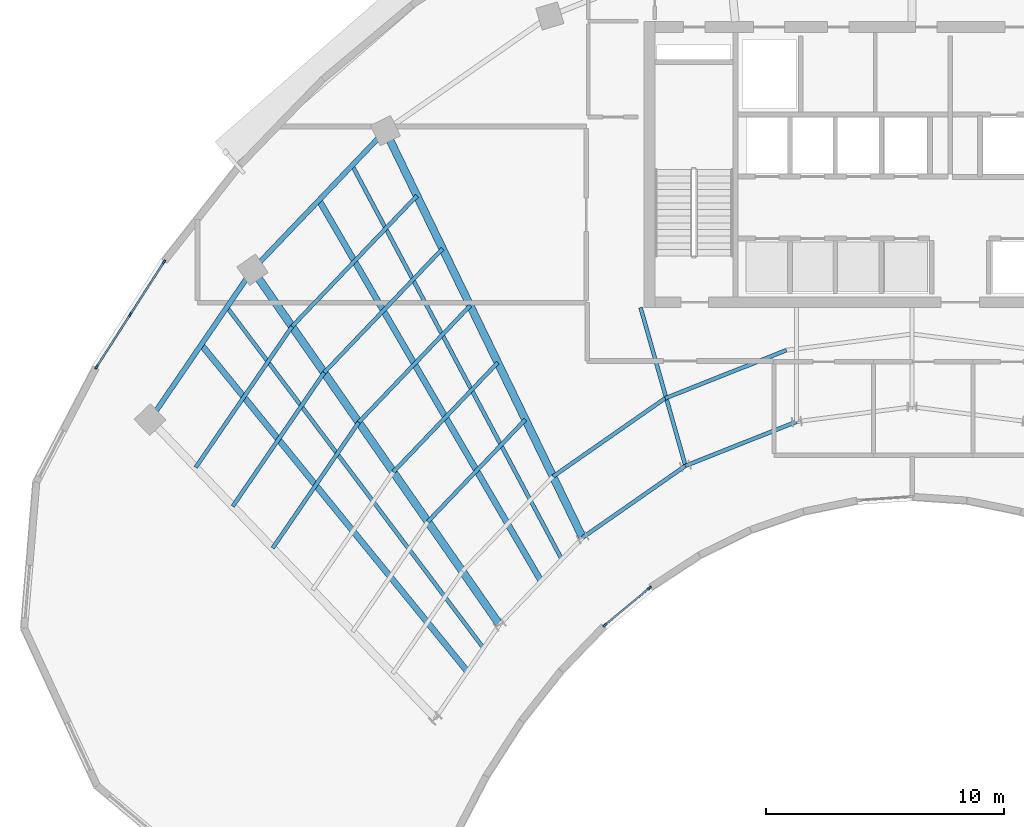
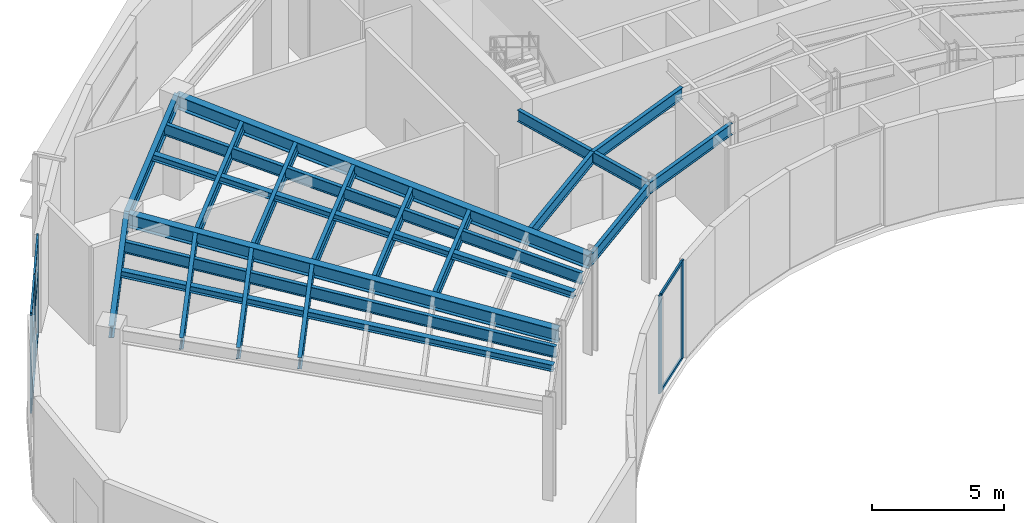
# One storey, part 2 of 15: 21 beams, 13 members, 2 elements without a shape of their own.
"""IFC4 building model written with IfcOpenShell, lengths in metres."""

from ifc_helpers import new_model, si_unit, direction, frame, origin, origin_2d, place, context, subcontext, project, spatial, rectangle, i_section, extrude, source, transform, mapped, material, layer, layer_set, material_profile, profile_set, type_object, type_shapes, element, aggregate, save


model = new_model("IFC4")

# Units and contexts
model_context = context("Model", 3, precision=1e-05, world=origin(), true_north=direction((0.0, 1.0)))
body_context = subcontext(model_context, "Body", "Model", "MODEL_VIEW")
ifc_project = project(units=[si_unit("LENGTHUNIT", "METRE"), si_unit("AREAUNIT", "SQUARE_METRE"), si_unit("VOLUMEUNIT", "CUBIC_METRE"), si_unit("PLANEANGLEUNIT", "RADIAN"), si_unit("MASSUNIT", "GRAM", prefix="KILO")], contexts=[model_context])

# Site, building, storey
site_placement = place(None, origin())
site = spatial("IfcSite", under=ifc_project, at=site_placement, CompositionType="ELEMENT")
building_placement = place(site_placement, origin())
building = spatial("IfcBuilding", under=site, at=building_placement, Name="Breltana Convention Tower", CompositionType="ELEMENT")
storey_placement = place(building_placement, frame((0.0, 0.0, 199.199951171875)))
storey = spatial("IfcBuildingStorey", under=building, at=storey_placement, Name="L48", CompositionType="ELEMENT", Elevation=199.199951171875)

# Beams
ifc_material_1 = material(Name="Steel ASTM A992 Grade 50", Category="steel")
ifc_material_profile_1 = material_profile(ifc_material_1, i_section(OverallWidth=0.25390625, OverallDepth=0.305908203125, WebThickness=0.0087890625, FlangeThickness=0.0146484375, at=origin_2d()), Name="W12X53")
ifc_profile_set_1 = profile_set([ifc_material_profile_1], Name="Steel ASTM A992 Grade 50")
beam_type_1 = type_object("IfcBeamType", Name="BM-JSG-10", PredefinedType="JOIST", material=ifc_profile_set_1)
shared_shape_1 = source(origin(), body_context, "Body", "SweptSolid", [
    extrude(i_section(OverallWidth=0.25390625, OverallDepth=0.305908203125, WebThickness=0.0087890625, FlangeThickness=0.0146484375, at=origin_2d()), origin(), (0.0, 0.0, 1.0), 17.691650390625),
])
type_shapes(beam_type_1, [shared_shape_1])
beam_1_placement = place(storey_placement, frame((29.330810546875, 44.923583984375, 4.386962890625), z_axis=(-0.631476958478, 0.775394642044, 0.0), x_axis=(-0.775394642044, -0.631476958478, 0.0)))
element("IfcBeam", 1, at=beam_1_placement, inside=storey, type_object=beam_type_1, Name="L48 Mid-Bay Radial Trimmer 01", PredefinedType="JOIST", context=body_context, shape_type="MappedRepresentation", body=[
    mapped(shared_shape_1, transform((0.0, 0.0, 0.0), scale=1.0)),
])
ifc_material_profile_2 = material_profile(ifc_material_1, i_section(OverallWidth=0.166015625, OverallDepth=0.534912109375, WebThickness=0.01025390625, FlangeThickness=0.0166015625, at=origin_2d()), Name="W21X57")
ifc_profile_set_2 = profile_set([ifc_material_profile_2], Name="Steel ASTM A992 Grade 50")
beam_type_2 = type_object("IfcBeamType", Name="BM-JSG-05", PredefinedType="JOIST", material=ifc_profile_set_2)
shared_shape_2 = source(origin(), body_context, "Body", "SweptSolid", [
    extrude(i_section(OverallWidth=0.166015625, OverallDepth=0.534912109375, WebThickness=0.01025390625, FlangeThickness=0.0166015625, at=origin_2d()), origin(), (0.0, 0.0, 1.0), 17.9072265625),
])
beam_2_placement = place(storey_placement, frame((30.00390625, 45.907958984375, 4.2724609375), z_axis=(-0.601382105028, 0.798961553363, 0.0), x_axis=(-0.798961553363, -0.601382105028, 0.0)))
element("IfcBeam", 2, at=beam_2_placement, inside=storey, type_object=beam_type_2, Name="L48 Quarter-Bay Radial Trimmer 01", PredefinedType="JOIST", context=body_context, shape_type="MappedRepresentation", body=[
    mapped(shared_shape_2, transform((0.0, 0.0, 0.0), scale=1.0)),
])
shared_shape_3 = source(origin(), body_context, "Body", "SweptSolid", [
    extrude(i_section(OverallWidth=0.25390625, OverallDepth=0.305908203125, WebThickness=0.0087890625, FlangeThickness=0.0146484375, at=origin_2d()), origin(), (0.0, 0.0, 1.0), 18.50830078125),
])
beam_3_placement = place(storey_placement, frame((32.421630859375, 48.71875, 4.386962890625), z_axis=(-0.50368319637, 0.863888440537, 0.0), x_axis=(-0.863888440537, -0.50368319637, 0.0)))
element("IfcBeam", 3, at=beam_3_placement, inside=storey, type_object=beam_type_1, Name="L48 Mid-Bay Radial Trimmer 02", PredefinedType="JOIST", context=body_context, shape_type="MappedRepresentation", body=[
    mapped(shared_shape_3, transform((0.0, 0.0, 0.0), scale=1.0)),
])
shared_shape_4 = source(origin(), body_context, "Body", "SweptSolid", [
    extrude(i_section(OverallWidth=0.166015625, OverallDepth=0.534912109375, WebThickness=0.01025390625, FlangeThickness=0.0166015625, at=origin_2d()), origin(), (0.0, 0.0, 1.0), 18.731689453125),
])
beam_4_placement = place(storey_placement, frame((33.2939453125, 49.6318359375, 4.2724609375), z_axis=(-0.469820250451, 0.882762104004, 0.0), x_axis=(-0.882762104004, -0.469820250451, 0.0)))
element("IfcBeam", 4, at=beam_4_placement, inside=storey, type_object=beam_type_2, Name="L48 Quarter-Bay Radial Trimmer 02", PredefinedType="JOIST", context=body_context, shape_type="MappedRepresentation", body=[
    mapped(shared_shape_4, transform((0.0, 0.0, 0.0), scale=1.0)),
])
ifc_material_profile_3 = material_profile(ifc_material_1, i_section(OverallWidth=0.166015625, OverallDepth=0.534912109375, WebThickness=0.01025390625, FlangeThickness=0.0166015625, at=origin_2d()), Name="W21X57")
ifc_profile_set_3 = profile_set([ifc_material_profile_3], Name="Steel ASTM A992 Grade 50")
beam_type_3 = type_object("IfcBeamType", Name="BM-BM-W21X57", PredefinedType="BEAM", material=ifc_profile_set_3)
shared_shape_5 = source(origin(), body_context, "Body", "SweptSolid", [
    extrude(i_section(OverallWidth=0.166015625, OverallDepth=0.534912109375, WebThickness=0.01025390625, FlangeThickness=0.0166015625, at=origin_2d()), origin(), (0.0, 0.0, 1.0), 6.904541015625),
])
type_shapes(beam_type_3, [shared_shape_5])
beam_5_placement = place(storey_placement, frame((36.60009765625, 60.199951171875, 4.2724609375), z_axis=(0.273006781054, -0.962012108811, 0.0), x_axis=(0.962012108811, 0.273006781054, 0.0)))
element("IfcBeam", 5, at=beam_5_placement, inside=storey, type_object=beam_type_3, Name="L48 South Core Tie Girder R04", PredefinedType="BEAM", context=body_context, shape_type="MappedRepresentation", body=[
    mapped(shared_shape_5, transform((0.0, 0.0, 0.0), scale=1.0)),
])
shared_shape_6 = source(origin(), body_context, "Body", "SweptSolid", [
    extrude(i_section(OverallWidth=0.166015625, OverallDepth=0.534912109375, WebThickness=0.01025390625, FlangeThickness=0.0166015625, at=origin_2d()), origin(), (0.0, 0.0, 1.0), 5.265869140625),
])
beam_6_placement = place(storey_placement, frame((34.166259765625, 50.544921875, 4.2724609375), z_axis=(0.820167429517, 0.572123577176, 0.0), x_axis=(-0.572123577176, 0.820167429517, 0.0)))
element("IfcBeam", 6, at=beam_6_placement, inside=storey, type_object=beam_type_3, Name="L48 Inner Ring Beam 03", PredefinedType="BEAM", context=body_context, shape_type="MappedRepresentation", body=[
    mapped(shared_shape_6, transform((0.0, 0.0, 0.0), scale=1.0)),
])
shared_shape_7 = source(origin(), body_context, "Body", "SweptSolid", [
    extrude(i_section(OverallWidth=0.166015625, OverallDepth=0.534912109375, WebThickness=0.01025390625, FlangeThickness=0.0166015625, at=origin_2d()), origin(), (0.0, 0.0, 1.0), 5.022705078125),
])
beam_7_placement = place(storey_placement, frame((38.485107421875, 53.5576171875, 4.2724609375), z_axis=(0.929458966248, 0.368925507469, 0.0), x_axis=(-0.368925507469, 0.929458966248, 0.0)))
element("IfcBeam", 7, at=beam_7_placement, inside=storey, type_object=beam_type_3, Name="L48 Inner Ring Beam 04", PredefinedType="BEAM", context=body_context, shape_type="MappedRepresentation", body=[
    mapped(shared_shape_7, transform((0.0, 0.0, 0.0), scale=1.0)),
])
shared_shape_8 = source(origin(), body_context, "Body", "SweptSolid", [
    extrude(i_section(OverallWidth=0.166015625, OverallDepth=0.534912109375, WebThickness=0.01025390625, FlangeThickness=0.0166015625, at=origin_2d()), origin(), (0.0, 0.0, 1.0), 6.3974609375),
])
beam_8_placement = place(storey_placement, frame((21.1572265625, 50.102294921875, 4.2724609375), z_axis=(0.564445851125, 0.825470097065, 0.0), x_axis=(-0.825470097065, 0.564445851125, 0.0)))
element("IfcBeam", 8, at=beam_8_placement, inside=storey, type_object=beam_type_2, Name="L48 Composite Floor Joist 01.4", PredefinedType="JOIST", context=body_context, shape_type="MappedRepresentation", body=[
    mapped(shared_shape_8, transform((0.0, 0.0, 0.0), scale=1.0)),
])
shared_shape_9 = source(origin(), body_context, "Body", "SweptSolid", [
    extrude(i_section(OverallWidth=0.166015625, OverallDepth=0.534912109375, WebThickness=0.01025390625, FlangeThickness=0.0166015625, at=origin_2d()), origin(), (0.0, 0.0, 1.0), 6.79736328125),
])
beam_9_placement = place(storey_placement, frame((19.480224609375, 51.85791015625, 4.2724609375), z_axis=(0.564475306504, 0.825449955083, 0.0), x_axis=(-0.825449955083, 0.564475306504, 0.0)))
element("IfcBeam", 9, at=beam_9_placement, inside=storey, type_object=beam_type_2, Name="L48 Composite Floor Joist 01.5", PredefinedType="JOIST", context=body_context, shape_type="MappedRepresentation", body=[
    mapped(shared_shape_9, transform((0.0, 0.0, 0.0), scale=1.0)),
])
shared_shape_10 = source(origin(), body_context, "Body", "SweptSolid", [
    extrude(i_section(OverallWidth=0.166015625, OverallDepth=0.534912109375, WebThickness=0.01025390625, FlangeThickness=0.0166015625, at=origin_2d()), origin(), (0.0, 0.0, 1.0), 7.16845703125),
])
beam_10_placement = place(storey_placement, frame((17.923095703125, 53.488037109375, 4.2724609375), z_axis=(0.564470233585, 0.825453424123, 0.0), x_axis=(-0.825453424123, 0.564470233585, 0.0)))
element("IfcBeam", 10, at=beam_10_placement, inside=storey, type_object=beam_type_2, Name="L48 Composite Floor Joist 01.6", PredefinedType="JOIST", context=body_context, shape_type="MappedRepresentation", body=[
    mapped(shared_shape_10, transform((0.0, 0.0, 0.0), scale=1.0)),
])
shared_shape_11 = source(origin(), body_context, "Body", "SweptSolid", [
    extrude(i_section(OverallWidth=0.166015625, OverallDepth=0.534912109375, WebThickness=0.01025390625, FlangeThickness=0.0166015625, at=origin_2d()), origin(), (0.0, 0.0, 1.0), 5.927734375),
])
beam_11_placement = place(storey_placement, frame((27.6708984375, 51.21240234375, 4.2724609375), z_axis=(0.69073528717, 0.723107711934, 0.0), x_axis=(-0.723107711934, 0.69073528717, 0.0)))
element("IfcBeam", 11, at=beam_11_placement, inside=storey, type_object=beam_type_2, Name="L48 Composite Floor Joist 02.2", PredefinedType="JOIST", context=body_context, shape_type="MappedRepresentation", body=[
    mapped(shared_shape_11, transform((0.0, 0.0, 0.0), scale=1.0)),
])
shared_shape_12 = source(origin(), body_context, "Body", "SweptSolid", [
    extrude(i_section(OverallWidth=0.166015625, OverallDepth=0.534912109375, WebThickness=0.01025390625, FlangeThickness=0.0166015625, at=origin_2d()), origin(), (0.0, 0.0, 1.0), 6.35107421875),
])
beam_12_placement = place(storey_placement, frame((26.2197265625, 53.2978515625, 4.2724609375), z_axis=(0.69071799369, 0.723124230816, 0.0), x_axis=(-0.723124230816, 0.69071799369, 0.0)))
element("IfcBeam", 12, at=beam_12_placement, inside=storey, type_object=beam_type_2, Name="L48 Composite Floor Joist 02.3", PredefinedType="JOIST", context=body_context, shape_type="MappedRepresentation", body=[
    mapped(shared_shape_12, transform((0.0, 0.0, 0.0), scale=1.0)),
])
shared_shape_13 = source(origin(), body_context, "Body", "SweptSolid", [
    extrude(i_section(OverallWidth=0.166015625, OverallDepth=0.534912109375, WebThickness=0.01025390625, FlangeThickness=0.0166015625, at=origin_2d()), origin(), (0.0, 0.0, 1.0), 6.774169921875),
])
beam_13_placement = place(storey_placement, frame((24.768310546875, 55.38330078125, 4.2724609375), z_axis=(0.690739707184, 0.723103489771, 0.0), x_axis=(-0.723103489771, 0.690739707184, 0.0)))
element("IfcBeam", 13, at=beam_13_placement, inside=storey, type_object=beam_type_2, Name="L48 Composite Floor Joist 02.4", PredefinedType="JOIST", context=body_context, shape_type="MappedRepresentation", body=[
    mapped(shared_shape_13, transform((0.0, 0.0, 0.0), scale=1.0)),
])
shared_shape_14 = source(origin(), body_context, "Body", "SweptSolid", [
    extrude(i_section(OverallWidth=0.166015625, OverallDepth=0.534912109375, WebThickness=0.01025390625, FlangeThickness=0.0166015625, at=origin_2d()), origin(), (0.0, 0.0, 1.0), 7.197265625),
])
beam_14_placement = place(storey_placement, frame((23.317138671875, 57.46875, 4.2724609375), z_axis=(0.690741130438, 0.723102130214, 0.0), x_axis=(-0.723102130214, 0.690741130438, 0.0)))
element("IfcBeam", 14, at=beam_14_placement, inside=storey, type_object=beam_type_2, Name="L48 Composite Floor Joist 02.5", PredefinedType="JOIST", context=body_context, shape_type="MappedRepresentation", body=[
    mapped(shared_shape_14, transform((0.0, 0.0, 0.0), scale=1.0)),
])
shared_shape_15 = source(origin(), body_context, "Body", "SweptSolid", [
    extrude(i_section(OverallWidth=0.166015625, OverallDepth=0.534912109375, WebThickness=0.01025390625, FlangeThickness=0.0166015625, at=origin_2d()), origin(), (0.0, 0.0, 1.0), 7.59033203125),
])
beam_15_placement = place(storey_placement, frame((21.969482421875, 59.4052734375, 4.2724609375), z_axis=(0.690742686271, 0.723100644007, 0.0), x_axis=(-0.723100644007, 0.690742686271, 0.0)))
element("IfcBeam", 15, at=beam_15_placement, inside=storey, type_object=beam_type_2, Name="L48 Composite Floor Joist 02.6", PredefinedType="JOIST", context=body_context, shape_type="MappedRepresentation", body=[
    mapped(shared_shape_15, transform((0.0, 0.0, 0.0), scale=1.0)),
])
shared_shape_16 = source(origin(), body_context, "Body", "SweptSolid", [
    extrude(i_section(OverallWidth=0.166015625, OverallDepth=0.534912109375, WebThickness=0.01025390625, FlangeThickness=0.0166015625, at=origin_2d()), origin(), (0.0, 0.0, 1.0), 5.738525390625),
])
beam_16_placement = place(storey_placement, frame((32.92431640625, 53.107421875, 4.2724609375), z_axis=(0.820182201694, 0.572102399947, 0.0), x_axis=(-0.572102399947, 0.820182201694, 0.0)))
element("IfcBeam", 16, at=beam_16_placement, inside=storey, type_object=beam_type_2, Name="L48 Composite Floor Joist 03.1", PredefinedType="JOIST", context=body_context, shape_type="MappedRepresentation", body=[
    mapped(shared_shape_16, transform((0.0, 0.0, 0.0), scale=1.0)),
])
shared_shape_17 = source(origin(), body_context, "Body", "SweptSolid", [
    extrude(i_section(OverallWidth=0.166015625, OverallDepth=0.534912109375, WebThickness=0.01025390625, FlangeThickness=0.0166015625, at=origin_2d()), origin(), (0.0, 0.0, 1.0), 5.473876953125),
])
beam_17_placement = place(storey_placement, frame((37.630859375, 56.390380859375, 4.2724609375), z_axis=(0.92945162863, 0.368943993091, 0.0), x_axis=(-0.368943993091, 0.92945162863, 0.0)))
element("IfcBeam", 17, at=beam_17_placement, inside=storey, type_object=beam_type_2, Name="L48 Composite Floor Joist 04.1", PredefinedType="JOIST", context=body_context, shape_type="MappedRepresentation", body=[
    mapped(shared_shape_17, transform((0.0, 0.0, 0.0), scale=1.0)),
])
ifc_material_profile_4 = material_profile(ifc_material_1, i_section(OverallWidth=0.326904296875, OverallDepth=0.6220703125, WebThickness=0.015380859375, FlangeThickness=0.0244140625, at=origin_2d()), Name="W24X131")
ifc_profile_set_4 = profile_set([ifc_material_profile_4], Name="Steel ASTM A992 Grade 50")
beam_type_4 = type_object("IfcBeamType", Name="BM-RG-W24X131", PredefinedType="USERDEFINED", material=ifc_profile_set_4)
shared_shape_18 = source(origin(), body_context, "Body", "SweptSolid", [
    extrude(i_section(OverallWidth=0.326904296875, OverallDepth=0.6220703125, WebThickness=0.015380859375, FlangeThickness=0.0244140625, at=origin_2d()), origin(), (0.0, 0.0, 1.0), 18.1484375),
])
beam_18_placement = place(storey_placement, frame((30.67724609375, 46.892333984375, 4.22900390625), z_axis=(-0.571207556098, 0.820805657788, 0.0), x_axis=(-0.820805657788, -0.571207556098, 0.0)))
element("IfcBeam", 18, at=beam_18_placement, inside=storey, type_object=beam_type_4, Name="L48 Radial Floor Girder R02", ObjectType="GIRDER", PredefinedType="USERDEFINED", context=body_context, shape_type="MappedRepresentation", body=[
    mapped(shared_shape_18, transform((0.0, 0.0, 0.0), scale=1.0)),
])
shared_shape_19 = source(origin(), body_context, "Body", "SweptSolid", [
    extrude(i_section(OverallWidth=0.326904296875, OverallDepth=0.6220703125, WebThickness=0.015380859375, FlangeThickness=0.0244140625, at=origin_2d()), origin(), (0.0, 0.0, 1.0), 18.982421875),
])
beam_19_placement = place(storey_placement, frame((34.166259765625, 50.544921875, 4.22900390625), z_axis=(-0.436118560343, 0.89988921614, 0.0), x_axis=(-0.89988921614, -0.436118560343, 0.0)))
element("IfcBeam", 19, at=beam_19_placement, inside=storey, type_object=beam_type_4, Name="L48 Radial Floor Girder R03", ObjectType="GIRDER", PredefinedType="USERDEFINED", context=body_context, shape_type="MappedRepresentation", body=[
    mapped(shared_shape_19, transform((0.0, 0.0, 0.0), scale=1.0)),
])
ifc_material_profile_5 = material_profile(ifc_material_1, i_section(OverallWidth=0.214111328125, OverallDepth=0.549072265625, WebThickness=0.0146484375, FlangeThickness=0.023681640625, at=origin_2d()), Name="W21X93")
ifc_profile_set_5 = profile_set([ifc_material_profile_5], Name="Steel ASTM A992 Grade 50")
beam_type_5 = type_object("IfcBeamType", Name="BM-SP-W21X93", PredefinedType="SPANDREL", material=ifc_profile_set_5)
shared_shape_20 = source(origin(), body_context, "Body", "SweptSolid", [
    extrude(i_section(OverallWidth=0.214111328125, OverallDepth=0.549072265625, WebThickness=0.0146484375, FlangeThickness=0.023681640625, at=origin_2d()), origin(), (0.0, 0.0, 1.0), 7.625),
])
type_shapes(beam_type_5, [shared_shape_20])
beam_20_placement = place(storey_placement, frame((16.0068359375, 55.494384765625, 4.265625), z_axis=(0.564452031902, 0.825465870694, 0.0), x_axis=(-0.825465870694, 0.564452031902, 0.0)))
element("IfcBeam", 20, at=beam_20_placement, inside=storey, type_object=beam_type_5, Name="L48 Outer Spandrel Beam 01", PredefinedType="SPANDREL", context=body_context, shape_type="MappedRepresentation", body=[
    mapped(shared_shape_20, transform((0.0, 0.0, 0.0), scale=1.0)),
])
shared_shape_21 = source(origin(), body_context, "Body", "SweptSolid", [
    extrude(i_section(OverallWidth=0.214111328125, OverallDepth=0.549072265625, WebThickness=0.0146484375, FlangeThickness=0.023681640625, at=origin_2d()), origin(), (0.0, 0.0, 1.0), 8.073974609375),
])
beam_21_placement = place(storey_placement, frame((20.310791015625, 61.78857421875, 4.265625), z_axis=(0.69072885448, 0.723113856588, 0.0), x_axis=(-0.723113856588, 0.69072885448, 0.0)))
element("IfcBeam", 21, at=beam_21_placement, inside=storey, type_object=beam_type_5, Name="L48 Outer Spandrel Beam 02", PredefinedType="SPANDREL", context=body_context, shape_type="MappedRepresentation", body=[
    mapped(shared_shape_21, transform((0.0, 0.0, 0.0), scale=1.0)),
])

# Curtain wall, members
ifc_material_2 = material(Name="Aluminium Anodised Bronze Frame", Category="aluminium")
ifc_layer_1 = layer(ifc_material_2, 0.18994140625, Name="Aluminium Anodised Bronze Frame")
ifc_layer_set_1 = layer_set([ifc_layer_1], Name="Aluminium Anodised Bronze Frame")
curtain_wall_type_1 = type_object("IfcCurtainWallType", Name="CW-SYS-1", PredefinedType="NOTDEFINED", material=ifc_layer_set_1)
curtain_wall_1_placement = place(storey_placement, origin())
curtain_wall_1 = element("IfcCurtainWall", 22, at=curtain_wall_1_placement, inside=storey, type_object=curtain_wall_type_1, Name="L48 inner south-court glazing 5", PredefinedType="NOTDEFINED")
ifc_material_3 = material(Name="Aluminium Anodised Bronze", Category="aluminium")
ifc_material_profile_6 = material_profile(ifc_material_3, rectangle(XDim=0.080078125, YDim=0.199951171875, at=origin_2d()), Name="CWM-80X200")
ifc_profile_set_6 = profile_set([ifc_material_profile_6], Name="Aluminium Anodised Bronze")
member_type_1 = type_object("IfcMemberType", Name="CWM-200", PredefinedType="MULLION", material=ifc_profile_set_6)
shared_shape_22 = source(origin(), body_context, "Body", "SweptSolid", [
    extrude(rectangle(XDim=0.080078125, YDim=0.199951171875, at=origin_2d()), origin(), (0.0, 0.0, 1.0), 4.5400390625),
])
member_1_placement = place(storey_placement, frame((36.969970703125, 48.423828125, 0.0), z_axis=(0.0, 0.0, 1.0), x_axis=(0.640540750309, -0.767924180628, 0.0)))
member_1 = element("IfcMember", 23, at=member_1_placement, type_object=member_type_1, Name="CW-01 mullion 1", PredefinedType="MULLION", context=body_context, shape_type="MappedRepresentation", body=[
    mapped(shared_shape_22, transform((0.0, 0.0, 0.0), scale=1.0)),
])
member_2_placement = place(storey_placement, frame((35.10302734375, 46.866455078125, 0.0), z_axis=(0.0, 0.0, 1.0), x_axis=(0.640540750309, -0.767924180628, 0.0)))
member_2 = element("IfcMember", 24, at=member_2_placement, type_object=member_type_1, Name="CW-01 mullion 2", PredefinedType="MULLION", context=body_context, shape_type="MappedRepresentation", body=[
    mapped(shared_shape_22, transform((0.0, 0.0, 0.0), scale=1.0)),
])

ifc_layer_2 = layer(ifc_material_2, 0.239990234375, Name="Aluminium Anodised Bronze Frame")
ifc_layer_set_2 = layer_set([ifc_layer_2], Name="Aluminium Anodised Bronze Frame")
curtain_wall_type_2 = type_object("IfcCurtainWallType", Name="CW-SYS-6", PredefinedType="NOTDEFINED", material=ifc_layer_set_2)
curtain_wall_2_placement = place(storey_placement, origin())
curtain_wall_2 = element("IfcCurtainWall", 25, at=curtain_wall_2_placement, inside=storey, type_object=curtain_wall_type_2, Name="L48 outer double-skin inner glazing 1", PredefinedType="NOTDEFINED")
member_3_placement = place(storey_placement, frame((13.76611328125, 57.710693359375, 0.0), z_axis=(0.0, 0.0, 1.0), x_axis=(-0.84154835428, 0.540181791075, 0.0)))
member_3 = element("IfcMember", 26, at=member_3_placement, type_object=member_type_1, Name="CW-06 mullion 1", PredefinedType="MULLION", context=body_context, shape_type="MappedRepresentation", body=[
    mapped(shared_shape_22, transform((0.0, 0.0, 0.0), scale=1.0)),
])
member_4_placement = place(storey_placement, frame((15.1767578125, 59.908203125, 0.0), z_axis=(0.0, 0.0, 1.0), x_axis=(-0.84154835428, 0.540181791075, 0.0)))
member_4 = element("IfcMember", 27, at=member_4_placement, type_object=member_type_1, Name="CW-06 mullion 2", PredefinedType="MULLION", context=body_context, shape_type="MappedRepresentation", body=[
    mapped(shared_shape_22, transform((0.0, 0.0, 0.0), scale=1.0)),
])
member_5_placement = place(storey_placement, frame((16.58740234375, 62.10595703125, 0.0), z_axis=(0.0, 0.0, 1.0), x_axis=(-0.84154835428, 0.540181791075, 0.0)))
member_5 = element("IfcMember", 28, at=member_5_placement, type_object=member_type_1, Name="CW-06 mullion 3", PredefinedType="MULLION", context=body_context, shape_type="MappedRepresentation", body=[
    mapped(shared_shape_22, transform((0.0, 0.0, 0.0), scale=1.0)),
])

# Member
ifc_material_profile_7 = material_profile(ifc_material_3, rectangle(XDim=0.080078125, YDim=0.139892578125, at=origin_2d()), Name="CWT-80X140")
ifc_profile_set_7 = profile_set([ifc_material_profile_7], Name="Aluminium Anodised Bronze")
member_type_2 = type_object("IfcMemberType", Name="CWT-140", PredefinedType="USERDEFINED", material=ifc_profile_set_7)
shared_shape_23 = source(origin(), body_context, "Body", "SweptSolid", [
    extrude(rectangle(XDim=0.080078125, YDim=0.139892578125, at=origin_2d()), origin(), (0.0, 0.0, 1.0), 2.351318359375),
])
member_6_placement = place(storey_placement, frame((36.939208984375, 48.398193359375, 0.0400390625), z_axis=(-0.767931836883, -0.640531571354, 0.0), x_axis=(0.640531571354, -0.767931836883, 0.0)))
member_6 = element("IfcMember", 29, at=member_6_placement, type_object=member_type_2, Name="CW-01 transom 1.1", ObjectType="TRANSOM", PredefinedType="USERDEFINED", context=body_context, shape_type="MappedRepresentation", body=[
    mapped(shared_shape_23, transform((0.0, 0.0, 0.0), scale=1.0)),
])

member_7_placement = place(storey_placement, frame((36.939208984375, 48.398193359375, 4.5), z_axis=(-0.767931836883, -0.640531571354, 0.0), x_axis=(0.640531571354, -0.767931836883, 0.0)))
member_7 = element("IfcMember", 30, at=member_7_placement, type_object=member_type_2, Name="CW-01 transom 1.2", ObjectType="TRANSOM", PredefinedType="USERDEFINED", context=body_context, shape_type="MappedRepresentation", body=[
    mapped(shared_shape_23, transform((0.0, 0.0, 0.0), scale=1.0)),
])

aggregate(curtain_wall_1, [member_1, member_2, member_6, member_7])

shared_shape_24 = source(origin(), body_context, "Body", "SweptSolid", [
    extrude(rectangle(XDim=0.080078125, YDim=0.139892578125, at=origin_2d()), origin(), (0.0, 0.0, 1.0), 2.531494140625),
])
member_8_placement = place(storey_placement, frame((13.787841796875, 57.744384765625, 0.0400390625), z_axis=(0.540172540617, 0.841554291988, 0.0), x_axis=(-0.841554291988, 0.540172540617, 0.0)))
member_8 = element("IfcMember", 31, at=member_8_placement, type_object=member_type_2, Name="CW-06 transom 1.1", ObjectType="TRANSOM", PredefinedType="USERDEFINED", context=body_context, shape_type="MappedRepresentation", body=[
    mapped(shared_shape_24, transform((0.0, 0.0, 0.0), scale=1.0)),
])

member_9_placement = place(storey_placement, frame((13.787841796875, 57.744384765625, 2.950927734375), z_axis=(0.540172540617, 0.841554291988, 0.0), x_axis=(-0.841554291988, 0.540172540617, 0.0)))
member_9 = element("IfcMember", 32, at=member_9_placement, type_object=member_type_2, Name="CW-06 transom 1.2", ObjectType="TRANSOM", PredefinedType="USERDEFINED", context=body_context, shape_type="MappedRepresentation", body=[
    mapped(shared_shape_24, transform((0.0, 0.0, 0.0), scale=1.0)),
])

member_10_placement = place(storey_placement, frame((13.787841796875, 57.744384765625, 4.5), z_axis=(0.540172540617, 0.841554291988, 0.0), x_axis=(-0.841554291988, 0.540172540617, 0.0)))
member_10 = element("IfcMember", 33, at=member_10_placement, type_object=member_type_2, Name="CW-06 transom 1.3", ObjectType="TRANSOM", PredefinedType="USERDEFINED", context=body_context, shape_type="MappedRepresentation", body=[
    mapped(shared_shape_24, transform((0.0, 0.0, 0.0), scale=1.0)),
])

member_11_placement = place(storey_placement, frame((15.198486328125, 59.94189453125, 0.0400390625), z_axis=(0.540172540617, 0.841554291988, 0.0), x_axis=(-0.841554291988, 0.540172540617, 0.0)))
member_11 = element("IfcMember", 34, at=member_11_placement, type_object=member_type_2, Name="CW-06 transom 2.1", ObjectType="TRANSOM", PredefinedType="USERDEFINED", context=body_context, shape_type="MappedRepresentation", body=[
    mapped(shared_shape_24, transform((0.0, 0.0, 0.0), scale=1.0)),
])

member_12_placement = place(storey_placement, frame((15.198486328125, 59.94189453125, 2.950927734375), z_axis=(0.540172540617, 0.841554291988, 0.0), x_axis=(-0.841554291988, 0.540172540617, 0.0)))
member_12 = element("IfcMember", 35, at=member_12_placement, type_object=member_type_2, Name="CW-06 transom 2.2", ObjectType="TRANSOM", PredefinedType="USERDEFINED", context=body_context, shape_type="MappedRepresentation", body=[
    mapped(shared_shape_24, transform((0.0, 0.0, 0.0), scale=1.0)),
])

member_13_placement = place(storey_placement, frame((15.198486328125, 59.94189453125, 4.5), z_axis=(0.540172540617, 0.841554291988, 0.0), x_axis=(-0.841554291988, 0.540172540617, 0.0)))
member_13 = element("IfcMember", 36, at=member_13_placement, type_object=member_type_2, Name="CW-06 transom 2.3", ObjectType="TRANSOM", PredefinedType="USERDEFINED", context=body_context, shape_type="MappedRepresentation", body=[
    mapped(shared_shape_24, transform((0.0, 0.0, 0.0), scale=1.0)),
])

aggregate(curtain_wall_2, [member_3, member_4, member_5, member_8, member_9, member_10, member_11, member_12, member_13])

save(model, "model.ifc")
